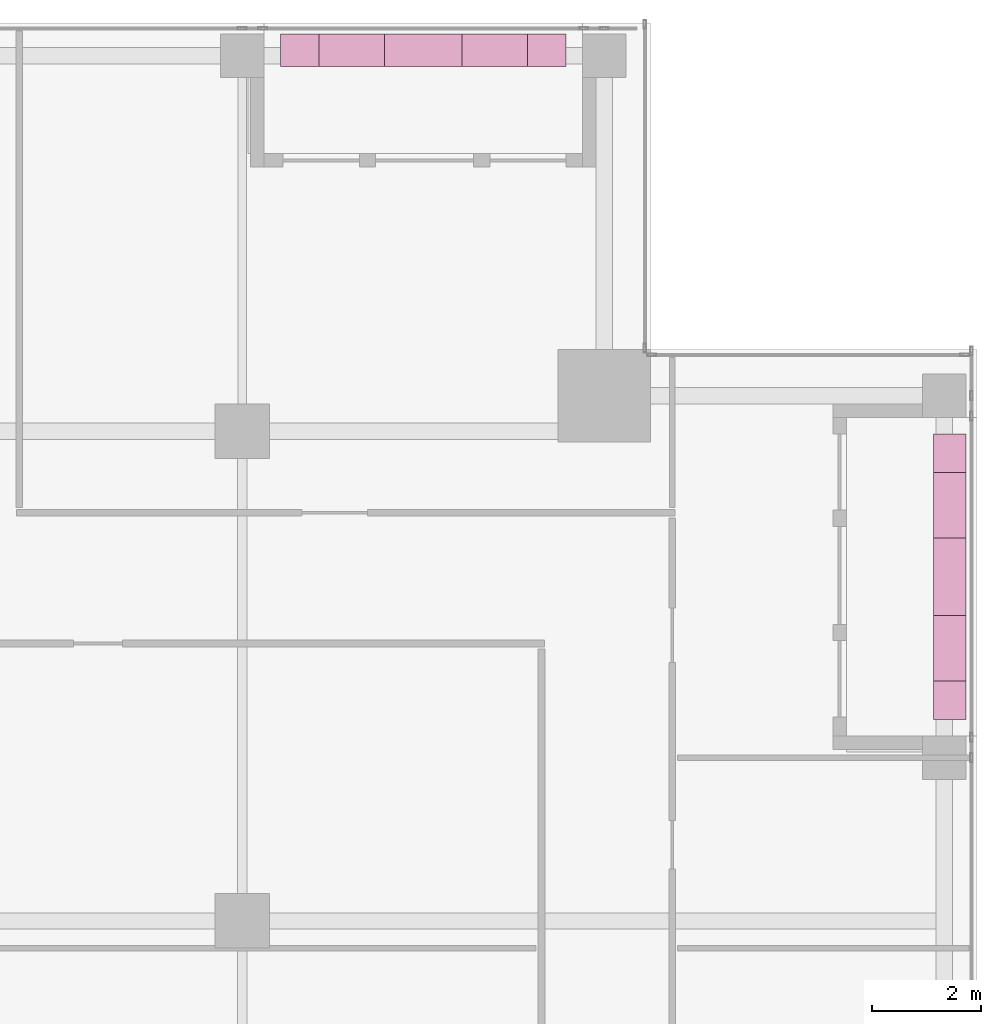
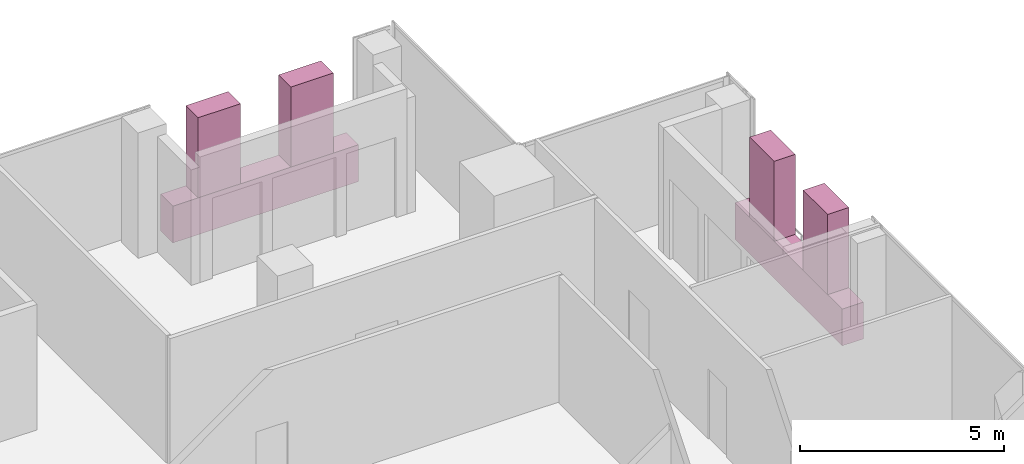
# One storey, part 29 of 29: 6 furnishings.
"""IFC4 building model written with IfcOpenShell, lengths in metres."""

from ifc_helpers import new_model, si_unit, direction, frame, origin, origin_2d, place, context, subcontext, project, spatial, rectangle, extrude, source, transform, mapped, material, type_object, element, save


model = new_model("IFC4")

# Units and contexts
model_context = context("Model", 3, precision=1e-05, world=origin(), true_north=direction((0.0, 1.0)))
body_context = subcontext(model_context, "Body", "Model", "MODEL_VIEW")
ifc_project = project(units=[si_unit("LENGTHUNIT", "METRE"), si_unit("AREAUNIT", "SQUARE_METRE"), si_unit("VOLUMEUNIT", "CUBIC_METRE"), si_unit("PLANEANGLEUNIT", "RADIAN"), si_unit("MASSUNIT", "GRAM", prefix="KILO")], contexts=[model_context])

# Site, building, storey
site_placement = place(None, origin())
site = spatial("IfcSite", under=ifc_project, at=site_placement, CompositionType="ELEMENT")
building_placement = place(site_placement, origin())
building = spatial("IfcBuilding", under=site, at=building_placement, Name="Khomas Fold Tower", CompositionType="ELEMENT")
storey_placement = place(building_placement, frame((0.0, 0.0, 314.199951171875)))
storey = spatial("IfcBuildingStorey", under=building, at=storey_placement, Name="L71", CompositionType="ELEMENT", Elevation=314.199951171875)

# Furnishings
ifc_material_1 = material(Name="Planting")
furnishing_element_type_1 = type_object("IfcFurnishingElementType", Name="BL-Tree Wild olive", material=ifc_material_1)
shared_shape_1 = source(origin(), body_context, "Body", "SweptSolid", [
    extrude(rectangle(XDim=1.199951171875, YDim=0.60009765625, at=origin_2d()), origin(), (0.0, 0.0, 1.0), 2.39501953125),
])
furnishing_1_placement = place(storey_placement, frame((47.5, 36.512451171875, 1.054931640625), z_axis=(0.0, 0.0, 1.0), x_axis=(0.0, 1.0, 0.0)))
element("IfcFurnishingElement", 1, at=furnishing_1_placement, inside=storey, type_object=furnishing_element_type_1, Name="PLANTER (TREE) Wild olive BAL-L71-E4-1", context=body_context, shape_type="MappedRepresentation", body=[
    mapped(shared_shape_1, transform((0.0, 0.0, 0.0))),
])
ifc_material_2 = material(Name="Planting")
furnishing_element_type_2 = type_object("IfcFurnishingElementType", Name="BL-Tree Shepherd's tree", material=ifc_material_2)
furnishing_2_placement = place(storey_placement, frame((47.5, 39.137451171875, 1.054931640625), z_axis=(0.0, 0.0, 1.0), x_axis=(0.0, 1.0, 0.0)))
element("IfcFurnishingElement", 2, at=furnishing_2_placement, inside=storey, type_object=furnishing_element_type_2, Name="PLANTER (TREE) Shepherd's tree BAL-L71-E4-2", context=body_context, shape_type="MappedRepresentation", body=[
    mapped(shared_shape_1, transform((0.0, 0.0, 0.0))),
])
furnishing_3_placement = place(storey_placement, frame((36.512451171875, 47.5, 1.054931640625), z_axis=(0.0, 0.0, 1.0), x_axis=(1.0, 0.0, 0.0)))
element("IfcFurnishingElement", 3, at=furnishing_3_placement, inside=storey, type_object=furnishing_element_type_1, Name="PLANTER (TREE) Wild olive BAL-L71-N4-1", context=body_context, shape_type="MappedRepresentation", body=[
    mapped(shared_shape_1, transform((0.0, 0.0, 0.0))),
])
furnishing_4_placement = place(storey_placement, frame((39.137451171875, 47.5, 1.054931640625), z_axis=(0.0, 0.0, 1.0), x_axis=(1.0, 0.0, 0.0)))
element("IfcFurnishingElement", 4, at=furnishing_4_placement, inside=storey, type_object=furnishing_element_type_2, Name="PLANTER (TREE) Shepherd's tree BAL-L71-N4-2", context=body_context, shape_type="MappedRepresentation", body=[
    mapped(shared_shape_1, transform((0.0, 0.0, 0.0))),
])
ifc_material_3 = material(Name="Precast concrete C40/50", Category="concrete")
furnishing_element_type_3 = type_object("IfcFurnishingElementType", Name="BL-Structural planter box", material=ifc_material_3)
shared_shape_2 = source(origin(), body_context, "Body", "SweptSolid", [
    extrude(rectangle(XDim=5.25, YDim=0.60009765625, at=origin_2d()), origin(), (0.0, 0.0, 1.0), 1.10009765625),
])
for number, where, z_axis, x_axis, name in (
    (5, (47.5, 37.824951171875, -0.044921875), (0.0, 0.0, 1.0), (0.0, 1.0, 0.0), "PLANTER BAL-L71-E4"),
    (6, (37.824951171875, 47.5, -0.044921875), (0.0, 0.0, 1.0), (1.0, 0.0, 0.0), "PLANTER BAL-L71-N4"),
):
    element("IfcFurnishingElement", number, at=place(storey_placement, frame(where, z_axis=z_axis, x_axis=x_axis)), inside=storey, type_object=furnishing_element_type_3, Name=name, context=body_context, shape_type="MappedRepresentation", body=[
        mapped(shared_shape_2, transform((0.0, 0.0, 0.0))),
    ])

save(model, "model.ifc")
